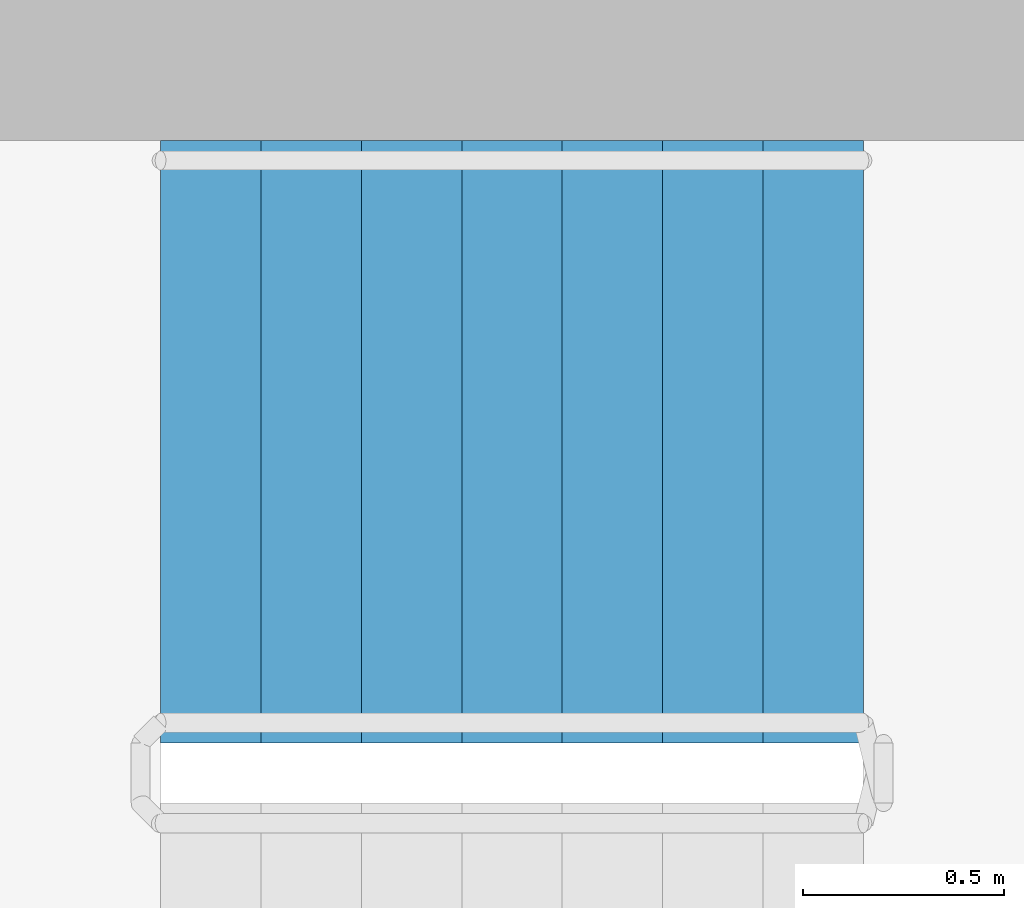
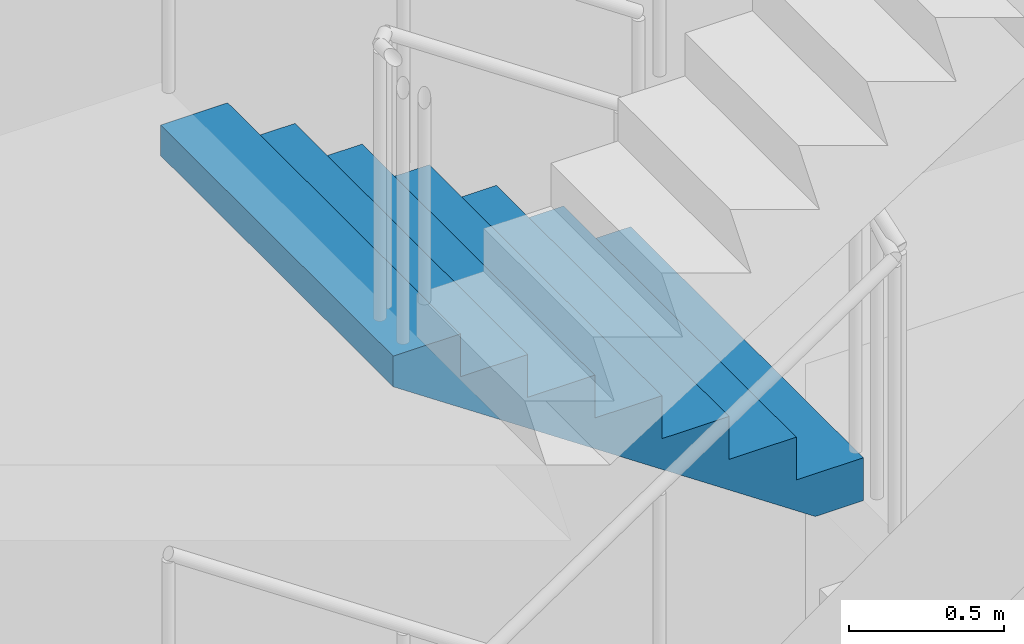
# One storey, part 9 of 11: 1 stair flight, 1 element without a shape of its own.
"""IFC4 building model written with IfcOpenShell, lengths in metres."""

from ifc_helpers import new_model, si_unit, direction, frame, origin, place, context, subcontext, project, spatial, polyline, outline, extrude, material, type_object, element, aggregate, save


model = new_model("IFC4")

# Units and contexts
model_context = context("Model", 3, precision=1e-05, world=origin(), true_north=direction((0.0, 1.0)))
body_context = subcontext(model_context, "Body", "Model", "MODEL_VIEW")
ifc_project = project(units=[si_unit("LENGTHUNIT", "METRE"), si_unit("AREAUNIT", "SQUARE_METRE"), si_unit("VOLUMEUNIT", "CUBIC_METRE"), si_unit("PLANEANGLEUNIT", "RADIAN"), si_unit("MASSUNIT", "GRAM", prefix="KILO")], contexts=[model_context])

# Site, building, storey
site_placement = place(None, origin())
site = spatial("IfcSite", under=ifc_project, at=site_placement, CompositionType="ELEMENT")
building_placement = place(site_placement, origin())
building = spatial("IfcBuilding", under=site, at=building_placement, Name="Tracery Tower", CompositionType="ELEMENT")
storey_placement = place(building_placement, frame((0.0, 0.0, 330.60009765625)))
storey = spatial("IfcBuildingStorey", under=building, at=storey_placement, Name="L86", CompositionType="ELEMENT", Elevation=330.60009765625)

# Stair, stair flight
ifc_material_1 = material(Name="Concrete C32/40", Category="concrete")
stair_type = type_object("IfcStairType", Name="Core stair 32 risers", PredefinedType="HALF_TURN_STAIR", material=ifc_material_1)
stair_placement = place(storey_placement, origin())
stair = element("IfcStair", 1, at=stair_placement, inside=storey, type_object=stair_type, Name="L86 stair ST3", PredefinedType="HALF_TURN_STAIR")
ifc_material_2 = material(Name="Concrete C32/40", Category="concrete")
stair_flight_type = type_object("IfcStairFlightType", Name="Core stair flight 8 risers", PredefinedType="STRAIGHT", material=ifc_material_2)
stair_flight_placement = place(storey_placement, frame((-4.800048828125, 5.64990234375, 2.699951171875), z_axis=(0.0, 0.0, 1.0), x_axis=(-1.0, 0.0, 0.0)))
stair_flight = element("IfcStairFlight", 2, at=stair_flight_placement, type_object=stair_flight_type, Name="ST3 flight 3", NumberOfRisers=8, NumberOfTreads=7, PredefinedType="STRAIGHT", RiserHeight=0.16875, TreadLength=0.25, context=body_context, shape_type="SweptSolid", body=[
    extrude(outline(polyline([(0.0, 0.0), (0.0, 0.002685546875), (0.0, 0.005615234375), (0.0, 0.00830078125), (0.0, 0.010986328125), (0.0, 0.013916015625), (0.0, 0.0166015625), (0.0, 0.019287109375), (0.0, 0.022216796875), (0.0, 0.02490234375), (0.0, 0.027587890625), (0.0, 0.030517578125), (0.0, 0.033203125), (0.0, 0.035888671875), (0.0, 0.038818359375), (0.0, 0.04150390625), (0.0, 0.044189453125), (0.0, 0.047119140625), (0.0, 0.0498046875), (0.0, 0.052490234375), (0.0, 0.055419921875), (0.0, 0.05810546875), (0.0, 0.060791015625), (0.0, 0.063720703125), (0.0, 0.06640625), (0.0, 0.069091796875), (0.0, 0.072021484375), (0.0, 0.07470703125), (0.0, 0.077392578125), (0.0, 0.080322265625), (0.0, 0.0830078125), (0.0, 0.085693359375), (0.0, 0.088623046875), (0.0, 0.09130859375), (0.0, 0.093994140625), (0.0, 0.096923828125), (0.0, 0.099609375), (0.0, 0.102294921875), (0.0, 0.105224609375), (0.0, 0.10791015625), (0.0, 0.110595703125), (0.0, 0.113525390625), (0.0, 0.1162109375), (0.0, 0.118896484375), (0.0, 0.121826171875), (0.0, 0.12451171875), (0.0, 0.127197265625), (0.0, 0.130126953125), (0.0, 0.1328125), (0.0, 0.135498046875), (0.0, 0.138427734375), (0.0, 0.14111328125), (0.0, 0.143798828125), (0.0, 0.146728515625), (0.0, 0.1494140625), (0.0, 0.152099609375), (0.0, 0.155029296875), (0.0, 0.15771484375), (0.0, 0.160400390625), (0.0, 0.163330078125), (0.0, 0.166015625), (0.0, 0.168701171875), (0.25, 0.168701171875), (0.25, 0.33740234375), (0.5, 0.33740234375), (0.5, 0.50634765625), (0.75, 0.50634765625), (0.75, 0.675048828125), (1.0, 0.675048828125), (1.0, 0.84375), (1.25, 0.84375), (1.25, 1.012451171875), (1.5, 1.012451171875), (1.5, 1.18115234375), (1.75, 1.18115234375), (1.75, 1.17919921875), (1.75, 1.17724609375), (1.75, 1.17529296875), (1.75, 1.17333984375), (1.75, 1.17138671875), (1.75, 1.16943359375), (1.75, 1.16748046875), (1.75, 1.16552734375), (1.75, 1.163330078125), (1.75, 1.161376953125), (1.75, 1.159423828125), (1.75, 1.157470703125), (1.75, 1.155517578125), (1.75, 1.153564453125), (1.75, 1.151611328125), (1.75, 1.149658203125), (1.75, 1.147705078125), (1.75, 1.1455078125), (1.75, 1.1435546875), (1.75, 1.1416015625), (1.75, 1.1396484375), (1.75, 1.1376953125), (1.75, 1.1357421875), (1.75, 1.1337890625), (1.75, 1.1318359375), (1.75, 1.1298828125), (1.75, 1.127685546875), (1.75, 1.125732421875), (1.75, 1.123779296875), (1.75, 1.121826171875), (1.75, 1.119873046875), (1.75, 1.117919921875), (1.75, 1.115966796875), (1.75, 1.114013671875), (1.75, 1.112060546875), (1.75, 1.10986328125), (1.75, 1.10791015625), (1.75, 1.10595703125), (1.75, 1.10400390625), (1.75, 1.10205078125), (1.75, 1.10009765625), (1.75, 1.09814453125), (1.75, 1.09619140625), (1.75, 1.09423828125), (1.75, 1.092041015625), (1.75, 1.090087890625), (1.75, 1.088134765625), (1.75, 1.086181640625), (1.75, 1.084228515625), (1.75, 1.082275390625), (1.75, 1.080322265625), (1.75, 1.078369140625), (1.75, 1.076416015625), (1.75, 1.074462890625), (1.75, 1.072265625), (1.75, 1.0703125), (1.75, 1.068359375), (1.75, 1.06640625), (1.75, 1.064453125), (1.75, 1.0625), (1.75, 1.060546875), (0.178955078125, 0.0), (0.0, 0.0)])), frame((0.0, 0.75, 0.0), z_axis=(0.0, -1.0, 0.0), x_axis=(1.0, 0.0, 0.0)), (0.0, 0.0, 1.0), 1.5),
])
aggregate(stair, [stair_flight])

save(model, "model.ifc")
